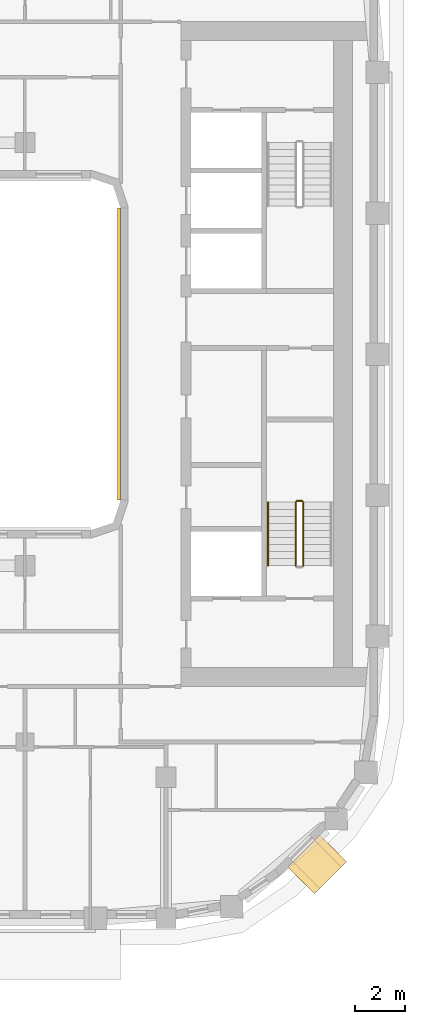
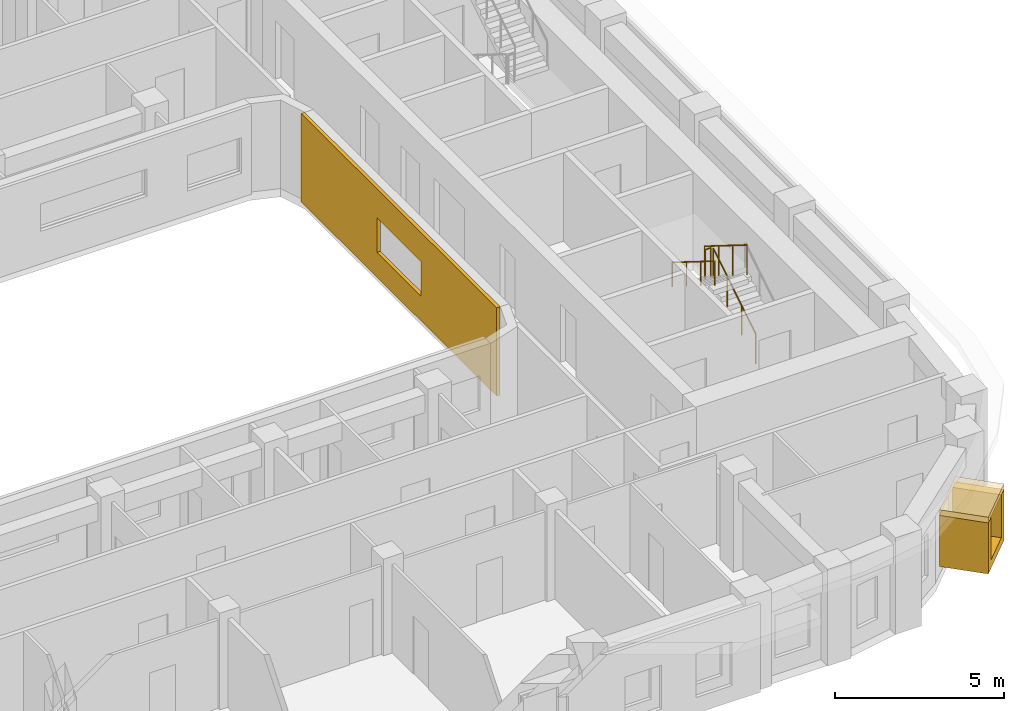
# One storey, part 16 of 21: 4 railings, 3 coverings.
"""IFC4 building model written with IfcOpenShell, lengths in metres."""

import ifcopenshell
import ifcopenshell.guid

model = None  # the IFC model being written
_history = None  # IfcOwnerHistory: only IFC2X3 demands one
_inside = {}  # id of a spatial element -> (the spatial element, [elements in it])
_under = {}  # id of a project, library or spatial element -> (it, [spatial elements below it])
_declared = {}  # id of a project -> (the project, [libraries it declares])
_typed = {}  # id of a type object -> (the type object, [elements of that type])
_made_of = {}  # id of a material, layer set ... -> (it, [elements and type objects made of it])


def new_model(schema):
    """Start an empty IFC model of exactly this schema.

    Asked for "IFC4X3", IfcOpenShell would pick the latest addendum, in which some entities
    have other attributes; the version numbers below select the first issue.
    IFC2X3 requires an IfcOwnerHistory on every rooted entity: one is made here for all.
    """
    global model, _history
    if schema == "IFC4X3":
        model = ifcopenshell.file(schema_version=(4, 3, 0, 0))
    else:
        model = ifcopenshell.file(schema=schema)
    _inside.clear()
    _under.clear()
    _declared.clear()
    _typed.clear()
    _made_of.clear()
    _history = None
    if model.schema == "IFC2X3":
        org = make("IfcOrganization", Name="unknown")
        user = make(
            "IfcPersonAndOrganization",
            ThePerson=make("IfcPerson", FamilyName="unknown"),
            TheOrganization=org,
        )
        app = make(
            "IfcApplication",
            ApplicationDeveloper=org,
            Version="unknown",
            ApplicationFullName="unknown",
            ApplicationIdentifier="unknown",
        )
        _history = make(
            "IfcOwnerHistory",
            OwningUser=user,
            OwningApplication=app,
            ChangeAction="ADDED",
            CreationDate=0,
        )
    return model


def make(cls, **values):
    """One entity of the class cls with the attributes given. An attribute that is None is left unset."""
    return model.create_entity(
        cls, **{name: value for name, value in values.items() if value is not None}
    )


def rooted(cls, **values):
    """An entity with a GlobalId (a new one), such as an element, a storey or a relation."""
    return make(cls, GlobalId=ifcopenshell.guid.new(), OwnerHistory=_history, **values)


def si_unit(unit_type, name, prefix=None):
    """IfcSIUnit, for example si_unit("LENGTHUNIT", "METRE", prefix="MILLI")."""
    return make("IfcSIUnit", UnitType=unit_type, Prefix=prefix, Name=name)


def assignment(units):
    """IfcUnitAssignment: the units of a project."""
    return None if units is None else make("IfcUnitAssignment", Units=units)


def point(xyz):
    """IfcCartesianPoint."""
    return None if xyz is None else make("IfcCartesianPoint", Coordinates=xyz)


def direction(xyz):
    """IfcDirection."""
    return None if xyz is None else make("IfcDirection", DirectionRatios=xyz)


def frame(location, z_axis=None, x_axis=None):
    """IfcAxis2Placement3D, a coordinate frame: its origin and axes. An axis left out is left unset."""
    return make(
        "IfcAxis2Placement3D",
        Location=point(location),
        Axis=direction(z_axis),
        RefDirection=direction(x_axis),
    )


def frame_2d(location, x_axis=None):
    """IfcAxis2Placement2D, a coordinate frame in the plane: its origin and x axis."""
    return make(
        "IfcAxis2Placement2D", Location=point(location), RefDirection=direction(x_axis)
    )


def origin():
    """The frame at (0, 0, 0) with its axes left unset."""
    return frame((0.0, 0.0, 0.0))


def origin_2d():
    """The frame at (0, 0) in the plane with its x axis left unset."""
    return frame_2d((0.0, 0.0))


def place(relative_to, where):
    """IfcLocalPlacement: puts the frame where relative to a parent placement (None: the world)."""
    return make(
        "IfcLocalPlacement", PlacementRelTo=relative_to, RelativePlacement=where
    )


def context(
    kind, dimensions, precision=None, world=None, true_north=None, identifier=None
):
    """IfcGeometricRepresentationContext, for example the 3D "Model" context."""
    return make(
        "IfcGeometricRepresentationContext",
        ContextIdentifier=identifier,
        ContextType=kind,
        CoordinateSpaceDimension=dimensions,
        Precision=precision,
        WorldCoordinateSystem=world,
        TrueNorth=true_north,
    )


def subcontext(parent, identifier, kind, view, scale=None):
    """IfcGeometricRepresentationSubContext, for example "Body" below "Model"."""
    return make(
        "IfcGeometricRepresentationSubContext",
        ContextIdentifier=identifier,
        ContextType=kind,
        ParentContext=parent,
        TargetScale=scale,
        TargetView=view,
    )


def project(units=None, contexts=None):
    """IfcProject with its units and contexts."""
    return rooted(
        "IfcProject",
        Name="project",
        RepresentationContexts=contexts,
        UnitsInContext=assignment(units),
    )


def spatial(cls, under=None, at=None, **own):
    """A site, building, storey or space (cls), placed at a placement, below another one or the project."""
    s = rooted(cls, ObjectPlacement=at, **own)
    if under is not None:
        _under.setdefault(under.id(), (under, []))[1].append(s)
    return s


def polyline(points):
    """IfcPolyline through the points."""
    return make("IfcPolyline", Points=[point(p) for p in points])


def profile(cls, at=None, kind="AREA", **sizes):
    """A parametric profile (cls). Its sizes go by their IFC names, for example OverallWidth=200.0."""
    return make(cls, ProfileType=kind, Position=at, **sizes)


def rectangle(**sizes):
    """IfcRectangleProfileDef."""
    return profile("IfcRectangleProfileDef", **sizes)


def circle(**sizes):
    """IfcCircleProfileDef."""
    return profile("IfcCircleProfileDef", **sizes)


def outline(outer, holes=None, kind="AREA"):
    """IfcArbitraryClosedProfileDef: a profile drawn as a closed curve; with holes, ...WithVoids."""
    if holes is None:
        return make("IfcArbitraryClosedProfileDef", ProfileType=kind, OuterCurve=outer)
    return make(
        "IfcArbitraryProfileDefWithVoids",
        ProfileType=kind,
        OuterCurve=outer,
        InnerCurves=holes,
    )


def extrude(swept, where, along, depth):
    """IfcExtrudedAreaSolid: the profile swept, set in the frame where, extruded along a direction by depth."""
    return make(
        "IfcExtrudedAreaSolid",
        SweptArea=swept,
        Position=where,
        ExtrudedDirection=direction(along),
        Depth=depth,
    )


def shape(context_of_items, identifier, shape_type, items):
    """IfcShapeRepresentation: the items that make up one representation, for example the "Body"."""
    return make(
        "IfcShapeRepresentation",
        ContextOfItems=context_of_items,
        RepresentationIdentifier=identifier,
        RepresentationType=shape_type,
        Items=items,
    )


def material(Name=None, Category=None):
    """IfcMaterial."""
    return make("IfcMaterial", Name=Name, Category=Category)


def layer(
    of_material, thickness, ventilated=None, Name=None, Category=None, Priority=None
):
    """IfcMaterialLayer: one layer of a wall or slab, of a material (None: an air gap)."""
    return make(
        "IfcMaterialLayer",
        Material=of_material,
        LayerThickness=thickness,
        IsVentilated=ventilated,
        Name=Name,
        Category=Category,
        Priority=Priority,
    )


def layer_set(layers, Name=None):
    """IfcMaterialLayerSet."""
    return make("IfcMaterialLayerSet", MaterialLayers=layers, LayerSetName=Name)


def made_of(thing, what):
    """Note that an element or type object is made of a material, layer set ...; save() writes the relation."""
    if what is not None:
        _made_of.setdefault(what.id(), (what, []))[1].append(thing)
    return thing


def type_object(cls, material=None, **own):
    """A type object (cls), such as IfcWallType, which elements share."""
    return made_of(rooted(cls, **own), material)


def element(
    cls,
    number,
    at=None,
    inside=None,
    cuts=None,
    type_object=None,
    material=None,
    context=None,
    identifier="Body",
    shape_type=None,
    held_by="IfcProductDefinitionShape",
    body=None,
    shapes=None,
    **own,
):
    """One element of the class cls, such as IfcWall. Its Tag is "e" and its number.

    at: its placement. inside: the storey or other place that contains it. cuts: it is an
    opening in that element (IfcRelVoidsElement). A single representation is given by context,
    identifier, shape_type and body (its items); several are given by shapes. held_by: the class
    of the entity that holds the representations. save() writes the other relations.
    """
    e = rooted(cls, Tag="e%d" % number, ObjectPlacement=at, **own)
    if body is not None:
        shapes = [shape(context, identifier, shape_type, body)]
    if shapes is not None:
        e.Representation = make(held_by, Representations=shapes)
    if inside is not None:
        _inside.setdefault(inside.id(), (inside, []))[1].append(e)
    if cuts is not None:
        rooted(
            "IfcRelVoidsElement", RelatingBuildingElement=cuts, RelatedOpeningElement=e
        )
    if type_object is not None:
        _typed.setdefault(type_object.id(), (type_object, []))[1].append(e)
    return made_of(e, material)


def aggregate(whole, parts):
    """IfcRelAggregates: a whole, such as a stair, and the parts it consists of."""
    return rooted("IfcRelAggregates", RelatingObject=whole, RelatedObjects=parts)


def save(model, path):
    """Write the relations noted so far, then the file.

    IfcRelAggregates (storeys below a building ...), IfcRelContainedInSpatialStructure (elements
    in a storey), IfcRelDefinesByType, IfcRelAssociatesMaterial and IfcRelDeclares: one each for
    every whole, place, type object, material and project.
    """
    for whole, parts in _under.values():
        aggregate(whole, parts)
    for where, things in _inside.values():
        rooted(
            "IfcRelContainedInSpatialStructure",
            RelatedElements=things,
            RelatingStructure=where,
        )
    for kind, things in _typed.values():
        rooted("IfcRelDefinesByType", RelatedObjects=things, RelatingType=kind)
    for what, things in _made_of.values():
        rooted("IfcRelAssociatesMaterial", RelatedObjects=things, RelatingMaterial=what)
    for by, libraries in _declared.values():
        rooted("IfcRelDeclares", RelatingContext=by, RelatedDefinitions=libraries)
    model.write(path)


model = new_model("IFC4")

# Units and contexts
model_context = context("Model", 3, precision=1e-05, world=origin(), true_north=direction((0.0, 1.0)))
body_context = subcontext(model_context, "Body", "Model", "MODEL_VIEW")
ifc_project = project(units=[si_unit("LENGTHUNIT", "METRE"), si_unit("AREAUNIT", "SQUARE_METRE"), si_unit("VOLUMEUNIT", "CUBIC_METRE"), si_unit("PLANEANGLEUNIT", "RADIAN"), si_unit("MASSUNIT", "GRAM", prefix="KILO")], contexts=[model_context])

# Site, building, storey
site_placement = place(None, origin())
site = spatial("IfcSite", under=ifc_project, at=site_placement, CompositionType="ELEMENT")
building_placement = place(site_placement, origin())
building = spatial("IfcBuilding", under=site, at=building_placement, Name="Kiln Ring Residences", CompositionType="ELEMENT")
storey_placement = place(building_placement, frame((0.0, 0.0, 195.89990234375)))
storey = spatial("IfcBuildingStorey", under=building, at=storey_placement, Name="L50", CompositionType="ELEMENT", Elevation=195.89990234375)

# Railings
ifc_material_1 = material(Name="Stainless steel", Category="steel")
railing_type_1 = type_object("IfcRailingType", Name="CORE-STAIR-GUARD", PredefinedType="GUARDRAIL", material=ifc_material_1)
railing_1_placement = place(storey_placement, frame((22.25, -8.39990234375, 0.175048828125)))
element("IfcRailing", 1, at=railing_1_placement, inside=storey, type_object=railing_type_1, Name="L50 E-STS stair guard 1", PredefinedType="GUARDRAIL", context=body_context, shape_type="SweptSolid", body=[
    extrude(circle(Radius=0.02392578125, at=origin_2d()), frame((0.0, 0.0, 1.076171875), z_axis=(0.0, 0.848007534815, 0.529984170421), x_axis=(-1.0, 0.0, 0.0)), (0.0, 0.0, 1.0), 2.9716796875),
    extrude(circle(Radius=0.02099609375, at=origin_2d()), origin(), (0.0, 0.0, 1.0), 1.052001953125),
    extrude(circle(Radius=0.02099609375, at=origin_2d()), frame((0.0, 0.840087890625, 0.52490234375)), (0.0, 0.0, 1.0), 1.052001953125),
    extrude(circle(Radius=0.02099609375, at=origin_2d()), frame((0.0, 1.679931640625, 1.050048828125)), (0.0, 0.0, 1.0), 1.052001953125),
    extrude(circle(Radius=0.02099609375, at=origin_2d()), frame((0.0, 2.52001953125, 1.574951171875)), (0.0, 0.0, 1.0), 1.052001953125),
])
railing_2_placement = place(storey_placement, frame((22.199951171875, -5.830078125, 1.75)))
element("IfcRailing", 2, at=railing_2_placement, inside=storey, type_object=railing_type_1, Name="L50 E-STS stair guard 2", PredefinedType="GUARDRAIL", context=body_context, shape_type="SweptSolid", body=[
    extrude(circle(Radius=0.02392578125, at=origin_2d()), frame((0.0, 0.0, 1.076171875), z_axis=(-1.0, 0.0, 0.0), x_axis=(0.0, -1.0, 0.0)), (0.0, 0.0, 1.0), 0.199951171875),
    extrude(circle(Radius=0.02099609375, at=origin_2d()), origin(), (0.0, 0.0, 1.0), 1.052001953125),
    extrude(circle(Radius=0.02099609375, at=origin_2d()), frame((-0.199951171875, 0.0, 0.0)), (0.0, 0.0, 1.0), 1.052001953125),
])
railing_3_placement = place(storey_placement, frame((21.949951171875, -5.8798828125, 1.925048828125)))
element("IfcRailing", 3, at=railing_3_placement, inside=storey, type_object=railing_type_1, Name="L50 E-STS stair guard 3", PredefinedType="GUARDRAIL", context=body_context, shape_type="SweptSolid", body=[
    extrude(circle(Radius=0.02392578125, at=origin_2d()), frame((0.0, 0.0, 1.076171875), z_axis=(0.0, -0.848007534815, 0.529984170421), x_axis=(1.0, 0.0, 0.0)), (0.0, 0.0, 1.0), 2.9716796875),
    extrude(circle(Radius=0.02099609375, at=origin_2d()), origin(), (0.0, 0.0, 1.0), 1.052001953125),
    extrude(circle(Radius=0.02099609375, at=origin_2d()), frame((0.0, -0.840087890625, 0.52490234375)), (0.0, 0.0, 1.0), 1.052001953125),
    extrude(circle(Radius=0.02099609375, at=origin_2d()), frame((0.0, -1.679931640625, 1.050048828125)), (0.0, 0.0, 1.0), 1.052001953125),
    extrude(circle(Radius=0.02099609375, at=origin_2d()), frame((0.0, -2.52001953125, 1.574951171875)), (0.0, 0.0, 1.0), 1.052001953125),
])
ifc_material_2 = material(Name="Stainless steel", Category="steel")
railing_type_2 = type_object("IfcRailingType", Name="CORE-STAIR-HANDRAIL", PredefinedType="HANDRAIL", material=ifc_material_2)
railing_4_placement = place(storey_placement, frame((20.85009765625, -5.8798828125, 1.925048828125)))
element("IfcRailing", 4, at=railing_4_placement, inside=storey, type_object=railing_type_2, Name="L50 E-STS stair handrail 2", PredefinedType="HANDRAIL", context=body_context, shape_type="SweptSolid", body=[
    extrude(circle(Radius=0.02392578125, at=origin_2d()), frame((0.0, 0.0, 0.8759765625), z_axis=(0.0, -0.848007534815, 0.529984170421), x_axis=(1.0, 0.0, 0.0)), (0.0, 0.0, 1.0), 2.9716796875),
    extrude(circle(Radius=0.02099609375, at=origin_2d()), origin(), (0.0, 0.0, 1.0), 0.851806640625),
    extrude(circle(Radius=0.02099609375, at=origin_2d()), frame((0.0, -0.840087890625, 0.52490234375)), (0.0, 0.0, 1.0), 0.851806640625),
    extrude(circle(Radius=0.02099609375, at=origin_2d()), frame((0.0, -1.679931640625, 1.050048828125)), (0.0, 0.0, 1.0), 0.851806640625),
    extrude(circle(Radius=0.02099609375, at=origin_2d()), frame((0.0, -2.52001953125, 1.574951171875)), (0.0, 0.0, 1.0), 0.851806640625),
])

# Coverings
ifc_material_3 = material(Name="Brick masonry, dark clay brick", Category="masonry")
ifc_layer_1 = layer(ifc_material_3, 0.300048828125)
ifc_layer_set_1 = layer_set([ifc_layer_1], Name="FRAME CHEEKS AND SILL 1500")
covering_type_1 = type_object("IfcCoveringType", Name="FRAME CHEEKS AND SILL 1500", PredefinedType="CLADDING", material=ifc_layer_set_1)
covering_1_placement = place(storey_placement, frame((22.163330078125, -20.8974609375, 0.300048828125), z_axis=(0.0, 0.0, 1.0), x_axis=(0.707038962956, 0.707174592913, 0.0)))
element("IfcCovering", 5, at=covering_1_placement, inside=storey, type_object=covering_type_1, Name="FRAME L50", PredefinedType="CLADDING", context=body_context, shape_type="SweptSolid", body=[
    extrude(outline(polyline([(0.0, 0.0), (1.800048828125, 0.0), (1.800048828125, 1.85009765625), (1.5009765625, 1.85009765625), (1.5, 0.300048828125), (0.300048828125, 0.300048828125), (0.299072265625, 1.85009765625), (0.0, 1.85009765625), (0.0, 0.0)])), frame((0.0, 0.75, 0.0), z_axis=(0.0, -1.0, 0.0), x_axis=(1.0, 0.0, 0.0)), (0.0, 0.0, 1.0), 1.5),
])
ifc_material_4 = material(Name="Brick masonry, dark clay brick", Category="masonry")
ifc_layer_2 = layer(ifc_material_4, 0.199951171875)
ifc_layer_set_2 = layer_set([ifc_layer_2], Name="FRAME HEAD 1500")
covering_type_2 = type_object("IfcCoveringType", Name="FRAME HEAD 1500", PredefinedType="CLADDING", material=ifc_layer_set_2)
covering_2_placement = place(storey_placement, frame((22.799560546875, -20.260986328125, 2.14990234375), z_axis=(0.0, 0.0, 1.0), x_axis=(0.707106781187, 0.707106781187, 0.0)))
element("IfcCovering", 6, at=covering_2_placement, inside=storey, type_object=covering_type_2, Name="FRAME HEAD L50", PredefinedType="CLADDING", context=body_context, shape_type="SweptSolid", body=[
    extrude(rectangle(XDim=1.800048828125, YDim=1.5, at=origin_2d()), origin(), (0.0, 0.0, 1.0), 0.199951171875),
])
ifc_material_5 = material(Name="Brick masonry, dark clay brick", Category="masonry")
ifc_layer_3 = layer(ifc_material_5, 0.1201171875)
ifc_layer_set_3 = layer_set([ifc_layer_3], Name="RAINSCREEN PANEL 120")
covering_type_3 = type_object("IfcCoveringType", Name="RAINSCREEN PANEL 120", PredefinedType="CLADDING", material=ifc_layer_set_3)
covering_3_placement = place(storey_placement, frame((14.93994140625, 5.800048828125, 0.0), z_axis=(0.0, 0.0, 1.0), x_axis=(0.0, -1.0, 0.0)))
element("IfcCovering", 7, at=covering_3_placement, inside=storey, type_object=covering_type_3, Name="RAINSCREEN L50", PredefinedType="CLADDING", context=body_context, shape_type="SweptSolid", body=[
    extrude(outline(polyline([(0.0, 0.0), (11.60009765625, 0.0), (11.60009765625, 3.2001953125), (0.0, 3.2001953125), (0.0, 0.0)]), holes=[polyline([(4.5, 2.150146484375), (4.5, 0.900146484375), (7.10009765625, 0.900146484375), (7.10009765625, 2.150146484375), (4.5, 2.150146484375)])]), frame((0.0, 0.06005859375, 0.0), z_axis=(0.0, -1.0, 0.0), x_axis=(1.0, 0.0, 0.0)), (0.0, 0.0, 1.0), 0.1201171875),
])

save(model, "model.ifc")
